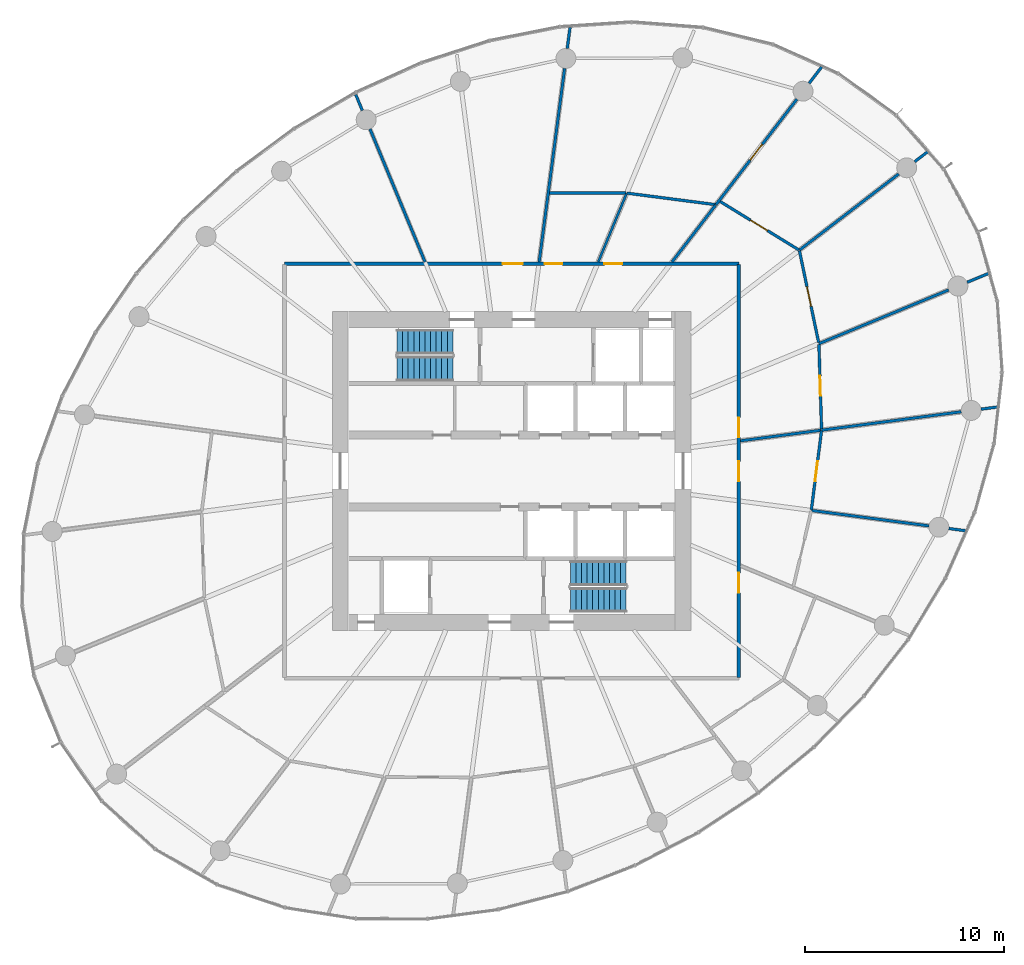
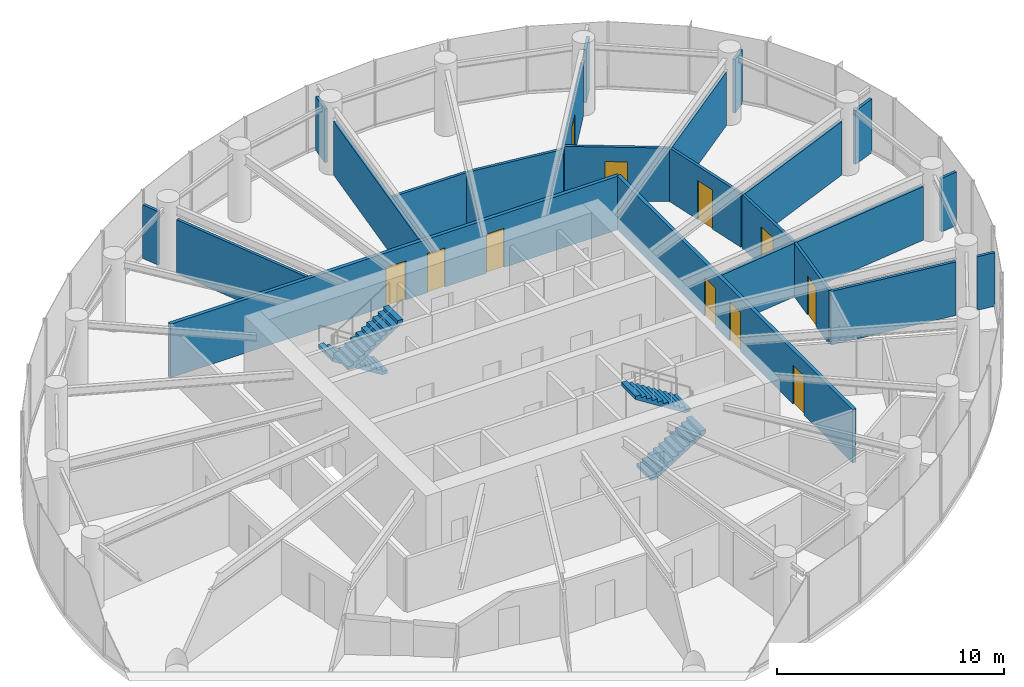
# One storey, part 11 of 14: 25 walls, 11 doors, 4 stair flights, 11 openings, 2 elements without a shape of their own.
"""IFC4 building model written with IfcOpenShell, lengths in metres."""

from ifc_helpers import new_model, si_unit, direction, frame, frame_2d, origin, place, context, subcontext, project, spatial, line, indexed_curve, rectangle, outline, extrude, source, transform, mapped, material, layer, layer_set, type_object, element, fill, aggregate, save


model = new_model("IFC4")

# Units and contexts
model_context = context("Model", 3, precision=1e-05, world=origin(), true_north=direction((0.0, 1.0)))
body_context = subcontext(model_context, "Body", "Model", "MODEL_VIEW")
ifc_project = project(units=[si_unit("LENGTHUNIT", "METRE"), si_unit("AREAUNIT", "SQUARE_METRE"), si_unit("VOLUMEUNIT", "CUBIC_METRE"), si_unit("PLANEANGLEUNIT", "RADIAN"), si_unit("MASSUNIT", "GRAM", prefix="KILO")], contexts=[model_context])

# Site, building, storey
site_placement = place(None, origin())
site = spatial("IfcSite", under=ifc_project, at=site_placement, CompositionType="ELEMENT")
building_placement = place(site_placement, origin())
building = spatial("IfcBuilding", under=site, at=building_placement, Name="Spindrift Exchange Tower", CompositionType="ELEMENT")
storey_placement = place(building_placement, frame((0.0, 0.0, 164.300048828125)))
storey = spatial("IfcBuildingStorey", under=building, at=storey_placement, Name="L39", CompositionType="ELEMENT", Elevation=164.300048828125)

# Wall, openings, doors
ifc_material_1 = material(Name="Fire-rated plasterboard partition", Category="gypsum")
ifc_layer_1 = layer(ifc_material_1, 0.179931640625)
ifc_layer_set_1 = layer_set([ifc_layer_1], Name="W-CORR-180")
wall_type_1 = type_object("IfcWallType", Name="W-CORR-180", PredefinedType="PARTITIONING", material=ifc_layer_set_1)
wall_1_placement = place(storey_placement, frame((40.60009765625, 58.39990234375, 0.0), z_axis=(0.0, 0.0, 1.0), x_axis=(1.0, 0.0, 0.0)))
wall_1 = element("IfcWall", 1, at=wall_1_placement, inside=storey, type_object=wall_type_1, Name="L39 Partition wall 27", PredefinedType="PARTITIONING", context=body_context, shape_type="SweptSolid", body=[
    extrude(rectangle(XDim=22.7998046875, YDim=0.179931640625, at=frame_2d((11.39990234375, 0.0))), origin(), (0.0, 0.0, 1.0), 2.8798828125),
])
opening_1_placement = place(wall_1_placement, frame((16.050048828125, 0.0, 0.0)))
opening_1 = element("IfcOpeningElement", 2, at=opening_1_placement, cuts=wall_1, Name="Opening L39-D19", PredefinedType="OPENING", context=body_context, shape_type="SweptSolid", body=[
    extrude(rectangle(XDim=0.89990234375, YDim=2.10009765625, at=frame_2d((0.449951171875, 1.050048828125))), frame((0.0, 0.099853515625, 0.0), z_axis=(0.0, -1.0, 0.0), x_axis=(1.0, 0.0, 0.0)), (0.0, 0.0, 1.0), 0.199951171875),
])
opening_2_placement = place(wall_1_placement, frame((13.050048828125, 0.0, 0.0)))
opening_2 = element("IfcOpeningElement", 3, at=opening_2_placement, cuts=wall_1, Name="Opening L39-D20", PredefinedType="OPENING", context=body_context, shape_type="SweptSolid", body=[
    extrude(rectangle(XDim=0.89990234375, YDim=2.10009765625, at=frame_2d((0.449951171875, 1.050048828125))), frame((0.0, 0.099853515625, 0.0), z_axis=(0.0, -1.0, 0.0), x_axis=(1.0, 0.0, 0.0)), (0.0, 0.0, 1.0), 0.199951171875),
])
opening_3_placement = place(wall_1_placement, frame((10.949951171875, 0.0, 0.0)))
opening_3 = element("IfcOpeningElement", 4, at=opening_3_placement, cuts=wall_1, Name="Opening L39-D21", PredefinedType="OPENING", context=body_context, shape_type="SweptSolid", body=[
    extrude(rectangle(XDim=1.0, YDim=2.10009765625, at=frame_2d((0.5, 1.050048828125))), frame((0.0, 0.099853515625, 0.0), z_axis=(0.0, -1.0, 0.0), x_axis=(1.0, 0.0, 0.0)), (0.0, 0.0, 1.0), 0.199951171875),
])
ifc_material_2 = material(Name="Timber-core fire door", Category="wood")
door_type_1 = type_object("IfcDoorType", Name="DR-ROOM-1000", OperationType="NOTDEFINED", PredefinedType="DOOR", material=ifc_material_2)
shared_shape_1 = source(origin(), body_context, "Body", "SweptSolid", [
    extrude(rectangle(XDim=1.0, YDim=2.10009765625, at=frame_2d((0.5, 1.050048828125))), frame((0.0, 0.02490234375, 0.0), z_axis=(0.0, -1.0, 0.0), x_axis=(1.0, 0.0, 0.0)), (0.0, 0.0, 1.0), 0.050048828125),
])
door_1_placement = place(opening_3_placement, origin())
door_1 = element("IfcDoor", 5, at=door_1_placement, inside=storey, type_object=door_type_1, Name="L39 Door 21", OperationType="SINGLE_SWING_RIGHT", OverallHeight=2.10009765625, OverallWidth=1.0, PredefinedType="DOOR", context=body_context, shape_type="MappedRepresentation", body=[
    mapped(shared_shape_1, transform((0.0, 0.0, 0.0), scale=1.0)),
])
fill(opening_3, door_1)
ifc_material_3 = material(Name="Laminate washroom door", Category="wood")
door_type_2 = type_object("IfcDoorType", Name="DR-WC-900", OperationType="NOTDEFINED", PredefinedType="DOOR", material=ifc_material_3)
shared_shape_2 = source(origin(), body_context, "Body", "SweptSolid", [
    extrude(rectangle(XDim=0.89990234375, YDim=2.10009765625, at=frame_2d((0.449951171875, 1.050048828125))), frame((0.0, 0.02490234375, 0.0), z_axis=(0.0, -1.0, 0.0), x_axis=(1.0, 0.0, 0.0)), (0.0, 0.0, 1.0), 0.050048828125),
])
door_2_placement = place(opening_1_placement, origin())
door_2 = element("IfcDoor", 6, at=door_2_placement, inside=storey, type_object=door_type_2, Name="L39 WC door 19", OperationType="SINGLE_SWING_RIGHT", OverallHeight=2.10009765625, OverallWidth=0.89990234375, PredefinedType="DOOR", context=body_context, shape_type="MappedRepresentation", body=[
    mapped(shared_shape_2, transform((0.0, 0.0, 0.0), scale=1.0)),
])
fill(opening_1, door_2)
door_3_placement = place(opening_2_placement, origin())
door_3 = element("IfcDoor", 7, at=door_3_placement, inside=storey, type_object=door_type_2, Name="L39 WC door 20", OperationType="SINGLE_SWING_LEFT", OverallHeight=2.10009765625, OverallWidth=0.89990234375, PredefinedType="DOOR", context=body_context, shape_type="MappedRepresentation", body=[
    mapped(shared_shape_2, transform((0.0, 0.0, 0.0), scale=1.0)),
])
fill(opening_2, door_3)

wall_2_placement = place(storey_placement, frame((63.39990234375, 58.3701171875, 0.0), z_axis=(0.0, 0.0, 1.0), x_axis=(0.0, -1.0, 0.0)))
wall_2 = element("IfcWall", 8, at=wall_2_placement, inside=storey, type_object=wall_type_1, Name="L39 Partition wall 29", PredefinedType="PARTITIONING", context=body_context, shape_type="SweptSolid", body=[
    extrude(rectangle(XDim=20.740234375, YDim=0.179931640625, at=frame_2d((10.3701171875, 0.0))), origin(), (0.0, 0.0, 1.0), 2.8798828125),
])
opening_4_placement = place(wall_2_placement, frame((15.489990234375, 0.0, 0.0)))
opening_4 = element("IfcOpeningElement", 9, at=opening_4_placement, cuts=wall_2, Name="Opening L39-D36", PredefinedType="OPENING", context=body_context, shape_type="SweptSolid", body=[
    extrude(rectangle(XDim=1.0, YDim=2.10009765625, at=frame_2d((0.5, 1.050048828125))), frame((0.0, 0.099853515625, 0.0), z_axis=(0.0, -1.0, 0.0), x_axis=(1.0, 0.0, 0.0)), (0.0, 0.0, 1.0), 0.199951171875),
])
opening_5_placement = place(wall_2_placement, frame((9.889892578125, 0.0, 0.0)))
opening_5 = element("IfcOpeningElement", 10, at=opening_5_placement, cuts=wall_2, Name="Opening L39-D39", PredefinedType="OPENING", context=body_context, shape_type="SweptSolid", body=[
    extrude(rectangle(XDim=1.0, YDim=2.10009765625, at=frame_2d((0.5, 1.050048828125))), frame((0.0, 0.099853515625, 0.0), z_axis=(0.0, -1.0, 0.0), x_axis=(1.0, 0.0, 0.0)), (0.0, 0.0, 1.0), 0.199951171875),
])
opening_6_placement = place(wall_2_placement, frame((7.68994140625, 0.0, 0.0)))
opening_6 = element("IfcOpeningElement", 11, at=opening_6_placement, cuts=wall_2, Name="Opening L39-D42", PredefinedType="OPENING", context=body_context, shape_type="SweptSolid", body=[
    extrude(rectangle(XDim=1.0, YDim=2.10009765625, at=frame_2d((0.5, 1.050048828125))), frame((0.0, 0.099853515625, 0.0), z_axis=(0.0, -1.0, 0.0), x_axis=(1.0, 0.0, 0.0)), (0.0, 0.0, 1.0), 0.199951171875),
])
door_4_placement = place(opening_4_placement, origin())
door_4 = element("IfcDoor", 12, at=door_4_placement, inside=storey, type_object=door_type_1, Name="L39 Door 36", OperationType="SINGLE_SWING_LEFT", OverallHeight=2.10009765625, OverallWidth=1.0, PredefinedType="DOOR", context=body_context, shape_type="MappedRepresentation", body=[
    mapped(shared_shape_1, transform((0.0, 0.0, 0.0), scale=1.0)),
])
fill(opening_4, door_4)
door_5_placement = place(opening_5_placement, origin())
door_5 = element("IfcDoor", 13, at=door_5_placement, inside=storey, type_object=door_type_1, Name="L39 Door 39", OperationType="SINGLE_SWING_RIGHT", OverallHeight=2.10009765625, OverallWidth=1.0, PredefinedType="DOOR", context=body_context, shape_type="MappedRepresentation", body=[
    mapped(shared_shape_1, transform((0.0, 0.0, 0.0), scale=1.0)),
])
fill(opening_5, door_5)
door_6_placement = place(opening_6_placement, origin())
door_6 = element("IfcDoor", 14, at=door_6_placement, inside=storey, type_object=door_type_1, Name="L39 Door 42", OperationType="SINGLE_SWING_LEFT", OverallHeight=2.10009765625, OverallWidth=1.0, PredefinedType="DOOR", context=body_context, shape_type="MappedRepresentation", body=[
    mapped(shared_shape_1, transform((0.0, 0.0, 0.0), scale=1.0)),
])
fill(opening_6, door_6)

# Walls
ifc_layer_2 = layer(ifc_material_1, 0.139892578125)
ifc_layer_set_2 = layer_set([ifc_layer_2], Name="W-PART-140")
wall_type_2 = type_object("IfcWallType", Name="W-PART-140", PredefinedType="PARTITIONING", material=ifc_layer_set_2)
wall_3_placement = place(storey_placement, frame((54.66015625, 68.205078125, 0.0), z_axis=(0.0, 0.0, 1.0), x_axis=(-0.130529918789, -0.991444370755, 0.0)))
element("IfcWall", 15, at=wall_3_placement, inside=storey, type_object=wall_type_2, Name="L39 Partition wall 31", PredefinedType="PARTITIONING", context=body_context, shape_type="SweptSolid", body=[
    extrude(rectangle(XDim=9.798828125, YDim=0.139892578125, at=frame_2d((4.8994140625, 0.0))), origin(), (0.0, 0.0, 1.0), 2.8798828125),
])
wall_4_placement = place(storey_placement, frame((47.65478515625, 58.489990234375, 0.0), z_axis=(0.0, 0.0, 1.0), x_axis=(-0.382681357251, 0.923880392049, 0.0)))
element("IfcWall", 16, at=wall_4_placement, inside=storey, type_object=wall_type_2, Name="L39 Partition wall 32", PredefinedType="PARTITIONING", context=body_context, shape_type="SweptSolid", body=[
    extrude(rectangle(XDim=7.21875, YDim=0.139892578125, at=frame_2d((3.609375, 0.0))), origin(), (0.0, 0.0, 1.0), 2.8798828125),
])
wall_5_placement = place(storey_placement, frame((67.555908203125, 50.048095703125, 0.0), z_axis=(0.0, 0.0, 1.0), x_axis=(0.991449473543, 0.130491154531, 0.0)))
element("IfcWall", 17, at=wall_5_placement, inside=storey, type_object=wall_type_2, Name="L39 Partition wall 33", PredefinedType="PARTITIONING", context=body_context, shape_type="SweptSolid", body=[
    extrude(rectangle(XDim=7.06640625, YDim=0.139892578125, at=frame_2d((3.533203125, 0.0))), origin(), (0.0, 0.0, 1.0), 2.8798828125),
])
wall_6_placement = place(storey_placement, frame((67.419921875, 54.38720703125, 0.0), z_axis=(0.0, 0.0, 1.0), x_axis=(0.923884663142, 0.382671045691, 0.0)))
element("IfcWall", 18, at=wall_6_placement, inside=storey, type_object=wall_type_2, Name="L39 Partition wall 36", PredefinedType="PARTITIONING", context=body_context, shape_type="SweptSolid", body=[
    extrude(rectangle(XDim=7.046630859375, YDim=0.139892578125, at=frame_2d((3.5234375, 0.0))), origin(), (0.0, 0.0, 1.0), 2.8798828125),
])

# Wall, opening, door
wall_7_placement = place(storey_placement, frame((62.25341796875, 61.3623046875, 0.0), z_axis=(0.0, 0.0, 1.0), x_axis=(0.608763124529, 0.79335203927, 0.0)))
wall_7 = element("IfcWall", 19, at=wall_7_placement, inside=storey, type_object=wall_type_2, Name="L39 Partition wall 37", PredefinedType="PARTITIONING", context=body_context, shape_type="SweptSolid", body=[
    extrude(rectangle(XDim=6.676513671875, YDim=0.139892578125, at=frame_2d((3.33837890625, 0.0))), origin(), (0.0, 0.0, 1.0), 2.8798828125),
])
opening_7_placement = place(wall_7_placement, frame((2.82666015625, 0.0, 0.0)))
opening_7 = element("IfcOpeningElement", 20, at=opening_7_placement, cuts=wall_7, Name="Opening L39-D22", PredefinedType="OPENING", context=body_context, shape_type="SweptSolid", body=[
    extrude(rectangle(XDim=1.0, YDim=2.10009765625, at=frame_2d((0.5, 1.050048828125))), frame((0.0, 0.079833984375, 0.0), z_axis=(0.0, -1.0, 0.0), x_axis=(1.0, 0.0, 0.0)), (0.0, 0.0, 1.0), 0.159912109375),
])
door_7_placement = place(opening_7_placement, origin())
door_7 = element("IfcDoor", 21, at=door_7_placement, inside=storey, type_object=door_type_1, Name="L39 Door 22", OperationType="SINGLE_SWING_LEFT", OverallHeight=2.10009765625, OverallWidth=1.0, PredefinedType="DOOR", context=body_context, shape_type="MappedRepresentation", body=[
    mapped(shared_shape_1, transform((0.0, 0.0, 0.0), scale=1.0)),
])
fill(opening_7, door_7)

# Walls
wall_8_placement = place(storey_placement, frame((66.437255859375, 59.078125, 0.0), z_axis=(0.0, 0.0, 1.0), x_axis=(0.793368198418, 0.608742065032, 0.0)))
element("IfcWall", 22, at=wall_8_placement, inside=storey, type_object=wall_type_2, Name="L39 Partition wall 38", PredefinedType="PARTITIONING", context=body_context, shape_type="SweptSolid", body=[
    extrude(rectangle(XDim=6.287841796875, YDim=0.139892578125, at=frame_2d((3.14404296875, 0.0))), origin(), (0.0, 0.0, 1.0), 2.8798828125),
])
wall_9_placement = place(storey_placement, frame((67.03857421875, 46.02001953125, 0.0), z_axis=(0.0, 0.0, 1.0), x_axis=(0.991449269799, -0.130492702536, 0.0)))
element("IfcWall", 23, at=wall_9_placement, inside=storey, type_object=wall_type_2, Name="L39 Partition wall 40", PredefinedType="PARTITIONING", context=body_context, shape_type="SweptSolid", body=[
    extrude(rectangle(XDim=5.953369140625, YDim=0.139892578125, at=frame_2d((2.9765625, 0.0))), origin(), (0.0, 0.0, 1.0), 2.8798828125),
])

# Wall, opening, door
wall_10_placement = place(storey_placement, frame((66.443359375, 59.048583984375, 0.0), z_axis=(0.0, 0.0, 1.0), x_axis=(0.205034745767, -0.978754695022, 0.0)))
wall_10 = element("IfcWall", 24, at=wall_10_placement, inside=storey, type_object=wall_type_2, Name="L39 Partition wall 49", PredefinedType="PARTITIONING", context=body_context, shape_type="SweptSolid", body=[
    extrude(rectangle(XDim=4.69140625, YDim=0.139892578125, at=frame_2d((2.345703125, 0.0))), origin(), (0.0, 0.0, 1.0), 2.8798828125),
])
opening_8_placement = place(wall_10_placement, frame((1.841552734375, 0.0, 0.0)))
opening_8 = element("IfcOpeningElement", 25, at=opening_8_placement, cuts=wall_10, Name="Opening L39-D44", PredefinedType="OPENING", context=body_context, shape_type="SweptSolid", body=[
    extrude(rectangle(XDim=1.0, YDim=2.10009765625, at=frame_2d((0.5, 1.050048828125))), frame((0.0, 0.079833984375, 0.0), z_axis=(0.0, -1.0, 0.0), x_axis=(1.0, 0.0, 0.0)), (0.0, 0.0, 1.0), 0.159912109375),
])
door_8_placement = place(opening_8_placement, origin())
door_8 = element("IfcDoor", 26, at=door_8_placement, inside=storey, type_object=door_type_1, Name="L39 Door 44", OperationType="SINGLE_SWING_LEFT", OverallHeight=2.10009765625, OverallWidth=1.0, PredefinedType="DOOR", context=body_context, shape_type="MappedRepresentation", body=[
    mapped(shared_shape_1, transform((0.0, 0.0, 0.0), scale=1.0)),
])
fill(opening_8, door_8)

wall_11_placement = place(storey_placement, frame((62.46484375, 61.52294921875, 0.0), z_axis=(0.0, 0.0, 1.0), x_axis=(0.851618521929, -0.524162086675, 0.0)))
wall_11 = element("IfcWall", 27, at=wall_11_placement, inside=storey, type_object=wall_type_2, Name="L39 Partition wall 50", PredefinedType="PARTITIONING", context=body_context, shape_type="SweptSolid", body=[
    extrude(rectangle(XDim=4.634521484375, YDim=0.139892578125, at=frame_2d((2.3173828125, 0.0))), origin(), (0.0, 0.0, 1.0), 2.8798828125),
])
opening_9_placement = place(wall_11_placement, frame((1.78466796875, 0.0, 0.0)))
opening_9 = element("IfcOpeningElement", 28, at=opening_9_placement, cuts=wall_11, Name="Opening L39-D45", PredefinedType="OPENING", context=body_context, shape_type="SweptSolid", body=[
    extrude(rectangle(XDim=1.0, YDim=2.10009765625, at=frame_2d((0.5, 1.050048828125))), frame((0.0, 0.079833984375, 0.0), z_axis=(0.0, -1.0, 0.0), x_axis=(1.0, 0.0, 0.0)), (0.0, 0.0, 1.0), 0.159912109375),
])
door_9_placement = place(opening_9_placement, origin())
door_9 = element("IfcDoor", 29, at=door_9_placement, inside=storey, type_object=door_type_1, Name="L39 Door 45", OperationType="SINGLE_SWING_RIGHT", OverallHeight=2.10009765625, OverallWidth=1.0, PredefinedType="DOOR", context=body_context, shape_type="MappedRepresentation", body=[
    mapped(shared_shape_1, transform((0.0, 0.0, 0.0), scale=1.0)),
])
fill(opening_9, door_9)

# Wall
wall_12_placement = place(storey_placement, frame((62.2236328125, 61.3662109375, 0.0), z_axis=(0.0, 0.0, 1.0), x_axis=(-0.991664939434, 0.128843501572, 0.0)))
element("IfcWall", 30, at=wall_12_placement, inside=storey, type_object=wall_type_2, Name="L39 Partition wall 51", PredefinedType="PARTITIONING", context=body_context, shape_type="SweptSolid", body=[
    extrude(rectangle(XDim=4.485107421875, YDim=0.139892578125, at=frame_2d((2.24267578125, 0.0))), origin(), (0.0, 0.0, 1.0), 2.8798828125),
])

# Wall, opening, door
wall_13_placement = place(storey_placement, frame((67.420654296875, 54.357177734375, 0.0), z_axis=(0.0, 0.0, 1.0), x_axis=(0.031374938864, -0.999507685419, 0.0)))
wall_13 = element("IfcWall", 31, at=wall_13_placement, inside=storey, type_object=wall_type_2, Name="L39 Partition wall 57", PredefinedType="PARTITIONING", context=body_context, shape_type="SweptSolid", body=[
    extrude(rectangle(XDim=4.240966796875, YDim=0.139892578125, at=frame_2d((2.12060546875, 0.0))), origin(), (0.0, 0.0, 1.0), 2.8798828125),
])
opening_10_placement = place(wall_13_placement, frame((1.5908203125, 0.0, 0.0)))
opening_10 = element("IfcOpeningElement", 32, at=opening_10_placement, cuts=wall_13, Name="Opening L39-D43", PredefinedType="OPENING", context=body_context, shape_type="SweptSolid", body=[
    extrude(rectangle(XDim=1.0, YDim=2.10009765625, at=frame_2d((0.5, 1.050048828125))), frame((0.0, 0.079833984375, 0.0), z_axis=(0.0, -1.0, 0.0), x_axis=(1.0, 0.0, 0.0)), (0.0, 0.0, 1.0), 0.159912109375),
])
door_10_placement = place(opening_10_placement, origin())
door_10 = element("IfcDoor", 33, at=door_10_placement, inside=storey, type_object=door_type_1, Name="L39 Door 43", OperationType="SINGLE_SWING_RIGHT", OverallHeight=2.10009765625, OverallWidth=1.0, PredefinedType="DOOR", context=body_context, shape_type="MappedRepresentation", body=[
    mapped(shared_shape_1, transform((0.0, 0.0, 0.0), scale=1.0)),
])
fill(opening_10, door_10)

# Wall
wall_14_placement = place(storey_placement, frame((63.489990234375, 49.5126953125, 0.0), z_axis=(0.0, 0.0, 1.0), x_axis=(0.99144081821, 0.130556899422, 0.0)))
element("IfcWall", 34, at=wall_14_placement, inside=storey, type_object=wall_type_2, Name="L39 Partition wall 61", PredefinedType="PARTITIONING", context=body_context, shape_type="SweptSolid", body=[
    extrude(rectangle(XDim=4.071044921875, YDim=0.139892578125, at=frame_2d((2.03564453125, 0.0))), origin(), (0.0, 0.0, 1.0), 2.8798828125),
])

# Wall, opening, door
wall_15_placement = place(storey_placement, frame((67.552001953125, 50.018310546875, 0.0), z_axis=(0.0, 0.0, 1.0), x_axis=(-0.127345948967, -0.991858361502, 0.0)))
wall_15 = element("IfcWall", 35, at=wall_15_placement, inside=storey, type_object=wall_type_2, Name="L39 Partition wall 65", PredefinedType="PARTITIONING", context=body_context, shape_type="SweptSolid", body=[
    extrude(rectangle(XDim=4.0009765625, YDim=0.139892578125, at=frame_2d((2.00048828125, 0.0))), origin(), (0.0, 0.0, 1.0), 2.8798828125),
])
opening_11_placement = place(wall_15_placement, frame((1.551025390625, 0.0, 0.0)))
opening_11 = element("IfcOpeningElement", 36, at=opening_11_placement, cuts=wall_15, Name="Opening L39-D41", PredefinedType="OPENING", context=body_context, shape_type="SweptSolid", body=[
    extrude(rectangle(XDim=1.0, YDim=2.10009765625, at=frame_2d((0.5, 1.050048828125))), frame((0.0, 0.079833984375, 0.0), z_axis=(0.0, -1.0, 0.0), x_axis=(1.0, 0.0, 0.0)), (0.0, 0.0, 1.0), 0.159912109375),
])
door_11_placement = place(opening_11_placement, origin())
door_11 = element("IfcDoor", 37, at=door_11_placement, inside=storey, type_object=door_type_1, Name="L39 Door 41", OperationType="SINGLE_SWING_RIGHT", OverallHeight=2.10009765625, OverallWidth=1.0, PredefinedType="DOOR", context=body_context, shape_type="MappedRepresentation", body=[
    mapped(shared_shape_1, transform((0.0, 0.0, 0.0), scale=1.0)),
])
fill(opening_11, door_11)

# Walls
wall_16_placement = place(storey_placement, frame((60.04931640625, 58.489990234375, 0.0), z_axis=(0.0, 0.0, 1.0), x_axis=(0.608786938026, 0.793333765882, 0.0)))
element("IfcWall", 38, at=wall_16_placement, inside=storey, type_object=wall_type_2, Name="L39 Partition wall 67", PredefinedType="PARTITIONING", context=body_context, shape_type="SweptSolid", body=[
    extrude(rectangle(XDim=3.59033203125, YDim=0.139892578125, at=frame_2d((1.795166015625, 0.0))), origin(), (0.0, 0.0, 1.0), 2.8798828125),
])
wall_17_placement = place(storey_placement, frame((57.745849609375, 61.9443359375, 0.0), z_axis=(0.0, 0.0, 1.0), x_axis=(-0.99999514204, 0.003117033204, 0.0)))
element("IfcWall", 39, at=wall_17_placement, inside=storey, type_object=wall_type_2, Name="L39 Partition wall 69", PredefinedType="PARTITIONING", context=body_context, shape_type="SweptSolid", body=[
    extrude(rectangle(XDim=3.837890625, YDim=0.139892578125, at=frame_2d((1.9189453125, 0.0))), origin(), (0.0, 0.0, 1.0), 2.8798828125),
])
wall_18_placement = place(storey_placement, frame((74.86328125, 57.47021484375, 0.0), z_axis=(0.0, 0.0, 1.0), x_axis=(0.923876703835, 0.382690261322, 0.0)))
element("IfcWall", 40, at=wall_18_placement, inside=storey, type_object=wall_type_2, Name="L39 Partition wall 79", PredefinedType="PARTITIONING", context=body_context, shape_type="SweptSolid", body=[
    extrude(rectangle(XDim=1.189208984375, YDim=0.139892578125, at=frame_2d((0.5947265625, 0.0))), origin(), (0.0, 0.0, 1.0), 2.8798828125),
])
wall_19_placement = place(storey_placement, frame((54.791748046875, 69.205322265625, 0.0), z_axis=(0.0, 0.0, 1.0), x_axis=(0.130561919254, 0.991440157166, 0.0)))
element("IfcWall", 41, at=wall_19_placement, inside=storey, type_object=wall_type_2, Name="L39 Partition wall 81", PredefinedType="PARTITIONING", context=body_context, shape_type="SweptSolid", body=[
    extrude(rectangle(XDim=1.058349609375, YDim=0.139892578125, at=frame_2d((0.529296875, 0.0))), origin(), (0.0, 0.0, 1.0), 2.8798828125),
])
wall_20_placement = place(storey_placement, frame((66.931884765625, 67.459716796875, 0.0), z_axis=(0.0, 0.0, 1.0), x_axis=(0.608710939512, 0.793392079692, 0.0)))
element("IfcWall", 42, at=wall_20_placement, inside=storey, type_object=wall_type_2, Name="L39 Partition wall 84", PredefinedType="PARTITIONING", context=body_context, shape_type="SweptSolid", body=[
    extrude(rectangle(XDim=1.027099609375, YDim=0.139892578125, at=frame_2d((0.513671875, 0.0))), origin(), (0.0, 0.0, 1.0), 2.8798828125),
])
wall_21_placement = place(storey_placement, frame((44.505859375, 66.09228515625, 0.0), z_axis=(0.0, 0.0, 1.0), x_axis=(-0.38261179702, 0.923909201589, 0.0)))
element("IfcWall", 43, at=wall_21_placement, inside=storey, type_object=wall_type_2, Name="L39 Partition wall 87", PredefinedType="PARTITIONING", context=body_context, shape_type="SweptSolid", body=[
    extrude(rectangle(XDim=0.85693359375, YDim=0.139892578125, at=frame_2d((0.428466796875, 0.0))), origin(), (0.0, 0.0, 1.0), 2.8798828125),
])
wall_22_placement = place(storey_placement, frame((72.22607421875, 63.52001953125, 0.0), z_axis=(0.0, 0.0, 1.0), x_axis=(0.793240633291, 0.608908283484, 0.0)))
element("IfcWall", 44, at=wall_22_placement, inside=storey, type_object=wall_type_2, Name="L39 Partition wall 89", PredefinedType="PARTITIONING", context=body_context, shape_type="SweptSolid", body=[
    extrude(rectangle(XDim=0.83837890625, YDim=0.139892578125, at=frame_2d((0.419189453125, 0.0))), origin(), (0.0, 0.0, 1.0), 2.8798828125),
])
wall_23_placement = place(storey_placement, frame((73.941162109375, 45.111328125, 0.0), z_axis=(0.0, 0.0, 1.0), x_axis=(0.991453302112, -0.130462062421, 0.0)))
element("IfcWall", 45, at=wall_23_placement, inside=storey, type_object=wall_type_2, Name="L39 Partition wall 91", PredefinedType="PARTITIONING", context=body_context, shape_type="SweptSolid", body=[
    extrude(rectangle(XDim=0.83642578125, YDim=0.139892578125, at=frame_2d((0.418212890625, 0.0))), origin(), (0.0, 0.0, 1.0), 2.8798828125),
])
wall_24_placement = place(storey_placement, frame((75.56201171875, 51.10205078125, 0.0), z_axis=(0.0, 0.0, 1.0), x_axis=(0.991444308748, 0.130530389761, 0.0)))
element("IfcWall", 46, at=wall_24_placement, inside=storey, type_object=wall_type_2, Name="L39 Partition wall 92", PredefinedType="PARTITIONING", context=body_context, shape_type="SweptSolid", body=[
    extrude(rectangle(XDim=0.832275390625, YDim=0.139892578125, at=frame_2d((0.416015625, 0.0))), origin(), (0.0, 0.0, 1.0), 2.8798828125),
])
ifc_layer_3 = layer(ifc_material_1, 0.1201171875)
ifc_layer_set_3 = layer_set([ifc_layer_3], Name="W-WET-120")
wall_type_3 = type_object("IfcWallType", Name="W-WET-120", PredefinedType="PARTITIONING", material=ifc_layer_set_3)
wall_25_placement = place(storey_placement, frame((56.34521484375, 58.489990234375, 0.0), z_axis=(0.0, 0.0, 1.0), x_axis=(0.382656049384, 0.923890874438, 0.0)))
element("IfcWall", 47, at=wall_25_placement, inside=storey, type_object=wall_type_3, Name="L39 Partition wall 98", PredefinedType="PARTITIONING", context=body_context, shape_type="SweptSolid", body=[
    extrude(rectangle(XDim=3.708740234375, YDim=0.1201171875, at=frame_2d((1.8544921875, 0.0))), origin(), (0.0, 0.0, 1.0), 2.8798828125),
])

# Stair, stair flights
ifc_material_4 = material(Name="Concrete 50 MPa", Category="concrete")
stair_type = type_object("IfcStairType", Name="ST-1250-R177", PredefinedType="HALF_TURN_STAIR", material=ifc_material_4)
stair_1_placement = place(storey_placement, origin())
stair_1 = element("IfcStair", 48, at=stair_1_placement, inside=storey, type_object=stair_type, Name="L39 Exit stair ST1", PredefinedType="HALF_TURN_STAIR")
stair_flight_type = type_object("IfcStairFlightType", Name="STF-1250-R177", PredefinedType="STRAIGHT", material=ifc_material_4)
stair_flight_1_placement = place(storey_placement, frame((49.050048828125, 54.47509765625, 0.0), z_axis=(0.0, 0.0, 1.0), x_axis=(-1.0, 0.0, 0.0)))
stair_flight_1 = element("IfcStairFlight", 49, at=stair_flight_1_placement, type_object=stair_flight_type, Name="ST1 flight 1", NumberOfRisers=11, NumberOfTreads=10, PredefinedType="STRAIGHT", RiserHeight=0.177272727, TreadLength=0.28, context=body_context, shape_type="SweptSolid", body=[
    extrude(outline(indexed_curve([(0.0, 0.0), (0.0, 0.177734375), (0.2802734375, 0.177734375), (0.2802734375, 0.3544921875), (0.5595703125, 0.3544921875), (0.5595703125, 0.5322265625), (0.83984375, 0.5322265625), (0.83984375, 0.708984375), (1.1201171875, 0.708984375), (1.1201171875, 0.88671875), (1.400390625, 0.88671875), (1.400390625, 1.0634765625), (1.6796875, 1.0634765625), (1.6796875, 1.2412109375), (1.9599609375, 1.2412109375), (1.9599609375, 1.41796875), (2.240234375, 1.41796875), (2.240234375, 1.595703125), (2.51953125, 1.595703125), (2.51953125, 1.7724609375), (2.7998046875, 1.7724609375), (2.7998046875, 1.9501953125), (2.7998046875, 1.595703125), (0.2802734375, 0.0)], segments=[line(1, 2, 3, 4, 5, 6, 7, 8, 9, 10, 11, 12, 13, 14, 15, 16, 17, 18, 19, 20, 21, 22, 23, 24, 1)], self_intersect=False)), frame((0.0, 0.625, 0.0), z_axis=(0.0, -1.0, 0.0), x_axis=(1.0, 0.0, 0.0)), (0.0, 0.0, 1.0), 1.25),
])
stair_flight_2_placement = place(storey_placement, frame((46.25, 53.125, 1.949951171875), z_axis=(0.0, 0.0, 1.0), x_axis=(1.0, 0.0, 0.0)))
stair_flight_2 = element("IfcStairFlight", 50, at=stair_flight_2_placement, type_object=stair_flight_type, Name="ST1 flight 2", NumberOfRisers=11, NumberOfTreads=10, PredefinedType="STRAIGHT", RiserHeight=0.177272727, TreadLength=0.28, context=body_context, shape_type="SweptSolid", body=[
    extrude(outline(indexed_curve([(0.0, 0.0), (0.0, 0.177734375), (0.2802734375, 0.177734375), (0.2802734375, 0.3544921875), (0.5595703125, 0.3544921875), (0.5595703125, 0.5322265625), (0.83984375, 0.5322265625), (0.83984375, 0.708984375), (1.1201171875, 0.708984375), (1.1201171875, 0.88671875), (1.400390625, 0.88671875), (1.400390625, 1.0634765625), (1.6796875, 1.0634765625), (1.6796875, 1.2412109375), (1.9599609375, 1.2412109375), (1.9599609375, 1.41796875), (2.240234375, 1.41796875), (2.240234375, 1.595703125), (2.51953125, 1.595703125), (2.51953125, 1.7724609375), (2.7998046875, 1.7724609375), (2.7998046875, 1.9501953125), (2.7998046875, 1.595703125), (0.2802734375, 0.0)], segments=[line(1, 2, 3, 4, 5, 6, 7, 8, 9, 10, 11, 12, 13, 14, 15, 16, 17, 18, 19, 20, 21, 22, 23, 24, 1)], self_intersect=False)), frame((0.0, 0.625, 0.0), z_axis=(0.0, -1.0, 0.0), x_axis=(1.0, 0.0, 0.0)), (0.0, 0.0, 1.0), 1.25),
])
aggregate(stair_1, [stair_flight_1, stair_flight_2])

stair_2_placement = place(storey_placement, origin())
stair_2 = element("IfcStair", 51, at=stair_2_placement, inside=storey, type_object=stair_type, Name="L39 Exit stair ST2", PredefinedType="HALF_TURN_STAIR")
stair_flight_3_placement = place(storey_placement, frame((54.949951171875, 41.52490234375, 0.0), z_axis=(0.0, 0.0, 1.0), x_axis=(1.0, 0.0, 0.0)))
stair_flight_3 = element("IfcStairFlight", 52, at=stair_flight_3_placement, type_object=stair_flight_type, Name="ST2 flight 1", NumberOfRisers=11, NumberOfTreads=10, PredefinedType="STRAIGHT", RiserHeight=0.177272727, TreadLength=0.28, context=body_context, shape_type="SweptSolid", body=[
    extrude(outline(indexed_curve([(0.0, 0.0), (0.0, 0.177734375), (0.2802734375, 0.177734375), (0.2802734375, 0.3544921875), (0.5595703125, 0.3544921875), (0.5595703125, 0.5322265625), (0.83984375, 0.5322265625), (0.83984375, 0.708984375), (1.1201171875, 0.708984375), (1.1201171875, 0.88671875), (1.400390625, 0.88671875), (1.400390625, 1.0634765625), (1.6796875, 1.0634765625), (1.6796875, 1.2412109375), (1.9599609375, 1.2412109375), (1.9599609375, 1.41796875), (2.240234375, 1.41796875), (2.240234375, 1.595703125), (2.51953125, 1.595703125), (2.51953125, 1.7724609375), (2.7998046875, 1.7724609375), (2.7998046875, 1.9501953125), (2.7998046875, 1.595703125), (0.2802734375, 0.0)], segments=[line(1, 2, 3, 4, 5, 6, 7, 8, 9, 10, 11, 12, 13, 14, 15, 16, 17, 18, 19, 20, 21, 22, 23, 24, 1)], self_intersect=False)), frame((0.0, 0.625, 0.0), z_axis=(0.0, -1.0, 0.0), x_axis=(1.0, 0.0, 0.0)), (0.0, 0.0, 1.0), 1.25),
])
stair_flight_4_placement = place(storey_placement, frame((57.75, 42.875, 1.949951171875), z_axis=(0.0, 0.0, 1.0), x_axis=(-1.0, 0.0, 0.0)))
stair_flight_4 = element("IfcStairFlight", 53, at=stair_flight_4_placement, type_object=stair_flight_type, Name="ST2 flight 2", NumberOfRisers=11, NumberOfTreads=10, PredefinedType="STRAIGHT", RiserHeight=0.177272727, TreadLength=0.28, context=body_context, shape_type="SweptSolid", body=[
    extrude(outline(indexed_curve([(0.0, 0.0), (0.0, 0.177734375), (0.2802734375, 0.177734375), (0.2802734375, 0.3544921875), (0.5595703125, 0.3544921875), (0.5595703125, 0.5322265625), (0.83984375, 0.5322265625), (0.83984375, 0.708984375), (1.1201171875, 0.708984375), (1.1201171875, 0.88671875), (1.400390625, 0.88671875), (1.400390625, 1.0634765625), (1.6796875, 1.0634765625), (1.6796875, 1.2412109375), (1.9599609375, 1.2412109375), (1.9599609375, 1.41796875), (2.240234375, 1.41796875), (2.240234375, 1.595703125), (2.51953125, 1.595703125), (2.51953125, 1.7724609375), (2.7998046875, 1.7724609375), (2.7998046875, 1.9501953125), (2.7998046875, 1.595703125), (0.2802734375, 0.0)], segments=[line(1, 2, 3, 4, 5, 6, 7, 8, 9, 10, 11, 12, 13, 14, 15, 16, 17, 18, 19, 20, 21, 22, 23, 24, 1)], self_intersect=False)), frame((0.0, 0.625, 0.0), z_axis=(0.0, -1.0, 0.0), x_axis=(1.0, 0.0, 0.0)), (0.0, 0.0, 1.0), 1.25),
])
aggregate(stair_2, [stair_flight_3, stair_flight_4])

save(model, "model.ifc")
